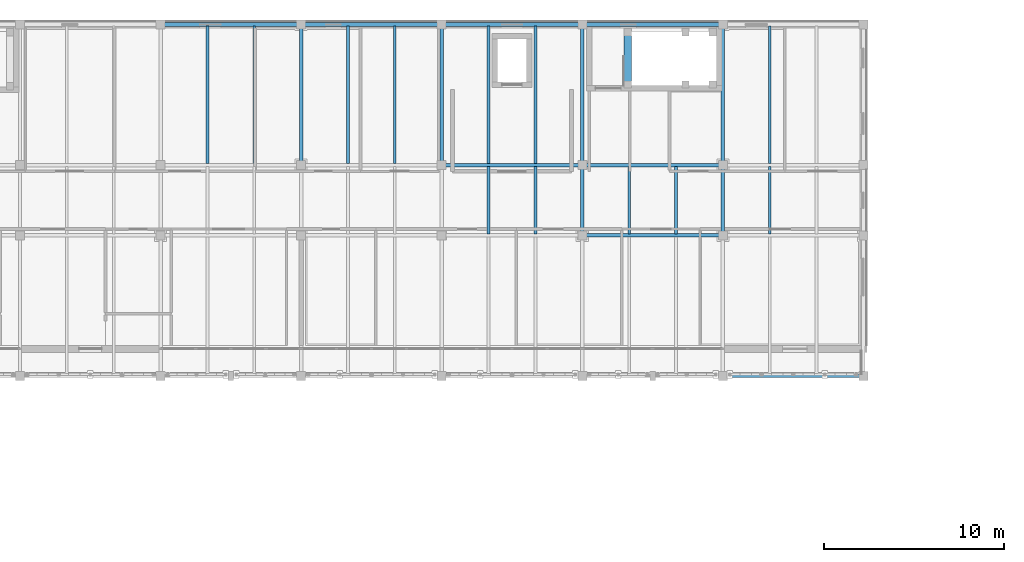
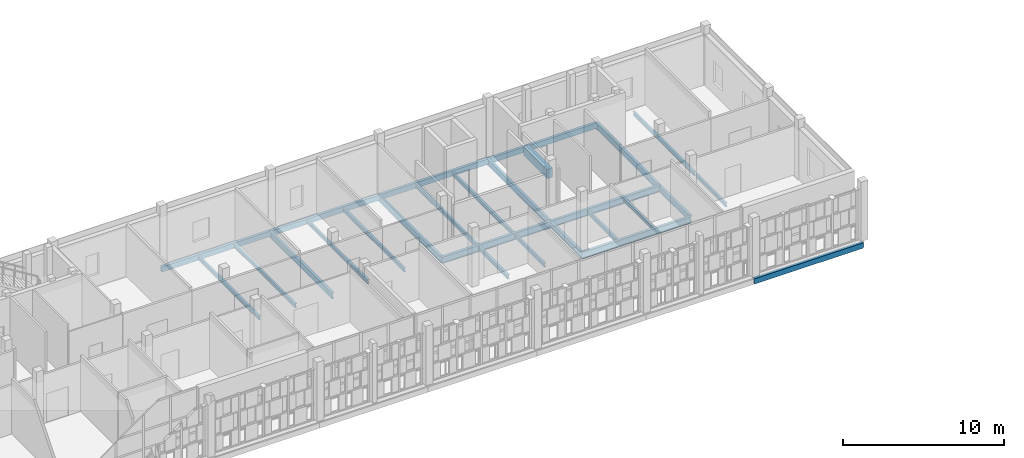
# One storey, part 42 of 89: 27 beams.
"""IFC4 building model written with IfcOpenShell, lengths in metres."""

from ifc_helpers import new_model, si_unit, direction, frame, origin, origin_2d, place, context, subcontext, project, spatial, rectangle, hollow_rectangle, i_section, extrude, material, material_profile, profile_set, type_object, element, save


model = new_model("IFC4")

# Units and contexts
model_context = context("Model", 3, precision=1e-05, world=origin(), true_north=direction((0.0, 1.0)))
body_context = subcontext(model_context, "Body", "Model", "MODEL_VIEW")
ifc_project = project(units=[si_unit("LENGTHUNIT", "METRE"), si_unit("AREAUNIT", "SQUARE_METRE"), si_unit("VOLUMEUNIT", "CUBIC_METRE"), si_unit("PLANEANGLEUNIT", "RADIAN"), si_unit("MASSUNIT", "GRAM", prefix="KILO")], contexts=[model_context])

# Site, building, storey
site_placement = place(None, origin())
site = spatial("IfcSite", under=ifc_project, at=site_placement, CompositionType="ELEMENT")
building_placement = place(site_placement, origin())
building = spatial("IfcBuilding", under=site, at=building_placement, Name="Celorna Specialist Clinic", CompositionType="ELEMENT")
storey_placement = place(building_placement, frame((0.0, 0.0, 14.10009765625)))
storey = spatial("IfcBuildingStorey", under=building, at=storey_placement, Name="L03", CompositionType="ELEMENT", Elevation=14.10009765625)

# Beams
ifc_material_1 = material(Name="Steel S355", Category="steel")
ifc_material_profile_1 = material_profile(ifc_material_1, i_section(OverallWidth=0.199951171875, OverallDepth=0.5, WebThickness=0.01025390625, FlangeThickness=0.01611328125, at=origin_2d()), Name="IPE 500")
ifc_profile_set_1 = profile_set([ifc_material_profile_1], Name="Steel S355")
beam_type_1 = type_object("IfcBeamType", Name="BM-08", PredefinedType="BEAM", material=ifc_profile_set_1)
for number, where, z_axis, x_axis, name in (
    (1, (117.0, 104.300048828125, -0.510009765625), (1.0, 0.0, 0.0), (0.0, 1.0, 0.0), "Primary girder BM-08 #1221"),
    (2, (109.199951171875, 108.199951171875, -0.510009765625), (1.0, 0.0, 0.0), (0.0, 1.0, 0.0), "Primary girder BM-08 #1231"),
    (3, (117.0, 108.199951171875, -0.510009765625), (1.0, 0.0, 0.0), (0.0, 1.0, 0.0), "Primary girder BM-08 #1232"),
):
    element("IfcBeam", number, at=place(storey_placement, frame(where, z_axis=z_axis, x_axis=x_axis)), inside=storey, type_object=beam_type_1, Name=name, PredefinedType="BEAM", context=body_context, shape_type="SweptSolid", body=[
        extrude(i_section(OverallWidth=0.199951171875, OverallDepth=0.5, WebThickness=0.01025390625, FlangeThickness=0.01611328125, at=origin_2d()), origin(), (0.0, 0.0, 1.0), 7.800048828125),
    ])
ifc_material_profile_2 = material_profile(ifc_material_1, i_section(OverallWidth=0.18994140625, OverallDepth=0.449951171875, WebThickness=0.009521484375, FlangeThickness=0.0146484375, at=origin_2d()), Name="IPE 450")
ifc_profile_set_2 = profile_set([ifc_material_profile_2], Name="Steel S355")
beam_type_2 = type_object("IfcBeamType", Name="BM-09", PredefinedType="BEAM", material=ifc_profile_set_2)
for number, where, z_axis, x_axis, name in (
    (4, (101.39990234375, 108.199951171875, -0.485107421875), (0.0, 1.0, 0.0), (-1.0, 0.0, 0.0), "Transverse girder BM-09 #1268"),
    (5, (109.199951171875, 108.199951171875, -0.485107421875), (0.0, 1.0, 0.0), (-1.0, 0.0, 0.0), "Transverse girder BM-09 #1271"),
):
    element("IfcBeam", number, at=place(storey_placement, frame(where, z_axis=z_axis, x_axis=x_axis)), inside=storey, type_object=beam_type_2, Name=name, PredefinedType="BEAM", context=body_context, shape_type="SweptSolid", body=[
        extrude(i_section(OverallWidth=0.18994140625, OverallDepth=0.449951171875, WebThickness=0.009521484375, FlangeThickness=0.0146484375, at=origin_2d()), origin(), (0.0, 0.0, 1.0), 7.800048828125),
    ])
beam_1_placement = place(storey_placement, frame((117.0, 104.300048828125, -0.485107421875), z_axis=(0.0, 1.0, 0.0), x_axis=(-1.0, 0.0, 0.0)))
element("IfcBeam", 6, at=beam_1_placement, inside=storey, type_object=beam_type_2, Name="Transverse girder BM-09 #1273", PredefinedType="BEAM", context=body_context, shape_type="SweptSolid", body=[
    extrude(i_section(OverallWidth=0.18994140625, OverallDepth=0.449951171875, WebThickness=0.009521484375, FlangeThickness=0.0146484375, at=origin_2d()), origin(), (0.0, 0.0, 1.0), 3.89990234375),
])
beam_2_placement = place(storey_placement, frame((117.0, 108.199951171875, -0.485107421875), z_axis=(0.0, 1.0, 0.0), x_axis=(-1.0, 0.0, 0.0)))
element("IfcBeam", 7, at=beam_2_placement, inside=storey, type_object=beam_type_2, Name="Transverse girder BM-09 #1274", PredefinedType="BEAM", context=body_context, shape_type="SweptSolid", body=[
    extrude(i_section(OverallWidth=0.18994140625, OverallDepth=0.449951171875, WebThickness=0.009521484375, FlangeThickness=0.0146484375, at=origin_2d()), origin(), (0.0, 0.0, 1.0), 7.800048828125),
])
beam_3_placement = place(storey_placement, frame((124.800048828125, 104.300048828125, -0.485107421875), z_axis=(0.0, 1.0, 0.0), x_axis=(-1.0, 0.0, 0.0)))
element("IfcBeam", 8, at=beam_3_placement, inside=storey, type_object=beam_type_2, Name="Transverse girder BM-09 #1276", PredefinedType="BEAM", context=body_context, shape_type="SweptSolid", body=[
    extrude(i_section(OverallWidth=0.18994140625, OverallDepth=0.449951171875, WebThickness=0.009521484375, FlangeThickness=0.0146484375, at=origin_2d()), origin(), (0.0, 0.0, 1.0), 3.89990234375),
])
beam_4_placement = place(storey_placement, frame((124.800048828125, 108.199951171875, -0.485107421875), z_axis=(0.0, 1.0, 0.0), x_axis=(-1.0, 0.0, 0.0)))
element("IfcBeam", 9, at=beam_4_placement, inside=storey, type_object=beam_type_2, Name="Transverse girder BM-09 #1277", PredefinedType="BEAM", context=body_context, shape_type="SweptSolid", body=[
    extrude(i_section(OverallWidth=0.18994140625, OverallDepth=0.449951171875, WebThickness=0.009521484375, FlangeThickness=0.0146484375, at=origin_2d()), origin(), (0.0, 0.0, 1.0), 7.800048828125),
])
ifc_material_profile_3 = material_profile(ifc_material_1, i_section(OverallWidth=0.14990234375, OverallDepth=0.300048828125, WebThickness=0.007080078125, FlangeThickness=0.0107421875, at=origin_2d()), Name="IPE 300")
ifc_profile_set_3 = profile_set([ifc_material_profile_3], Name="Steel S355")
beam_type_3 = type_object("IfcBeamType", Name="BM-13", PredefinedType="JOIST", material=ifc_profile_set_3)
for number, where, z_axis, x_axis, name in (
    (10, (96.199951171875, 108.2880859375, -0.41015625), (0.0, 1.0, 0.0), (-1.0, 0.0, 0.0), "Secondary floor joist BM-13 #1315"),
    (11, (98.800048828125, 108.2880859375, -0.41015625), (0.0, 1.0, 0.0), (-1.0, 0.0, 0.0), "Secondary floor joist BM-13 #1316"),
    (12, (104.0, 108.2880859375, -0.41015625), (0.0, 1.0, 0.0), (-1.0, 0.0, 0.0), "Secondary floor joist BM-13 #1321"),
    (13, (106.60009765625, 108.2880859375, -0.41015625), (0.0, 1.0, 0.0), (-1.0, 0.0, 0.0), "Secondary floor joist BM-13 #1322"),
):
    element("IfcBeam", number, at=place(storey_placement, frame(where, z_axis=z_axis, x_axis=x_axis)), inside=storey, type_object=beam_type_3, Name=name, PredefinedType="JOIST", context=body_context, shape_type="SweptSolid", body=[
        extrude(i_section(OverallWidth=0.14990234375, OverallDepth=0.300048828125, WebThickness=0.007080078125, FlangeThickness=0.0107421875, at=origin_2d()), origin(), (0.0, 0.0, 1.0), 7.6240234375),
    ])
for number, where, z_axis, x_axis, name in (
    (14, (111.800048828125, 104.387939453125, -0.41015625), (0.0, 1.0, 0.0), (-1.0, 0.0, 0.0), "Secondary floor joist BM-13 #1325"),
    (15, (114.39990234375, 104.387939453125, -0.41015625), (0.0, 1.0, 0.0), (-1.0, 0.0, 0.0), "Secondary floor joist BM-13 #1326"),
):
    element("IfcBeam", number, at=place(storey_placement, frame(where, z_axis=z_axis, x_axis=x_axis)), inside=storey, type_object=beam_type_3, Name=name, PredefinedType="JOIST", context=body_context, shape_type="SweptSolid", body=[
        extrude(i_section(OverallWidth=0.14990234375, OverallDepth=0.300048828125, WebThickness=0.007080078125, FlangeThickness=0.0107421875, at=origin_2d()), origin(), (0.0, 0.0, 1.0), 3.72412109375),
    ])
for number, where, z_axis, x_axis, name in (
    (16, (111.800048828125, 108.2880859375, -0.41015625), (0.0, 1.0, 0.0), (-1.0, 0.0, 0.0), "Secondary floor joist BM-13 #1327"),
    (17, (114.39990234375, 108.2880859375, -0.41015625), (0.0, 1.0, 0.0), (-1.0, 0.0, 0.0), "Secondary floor joist BM-13 #1328"),
):
    element("IfcBeam", number, at=place(storey_placement, frame(where, z_axis=z_axis, x_axis=x_axis)), inside=storey, type_object=beam_type_3, Name=name, PredefinedType="JOIST", context=body_context, shape_type="SweptSolid", body=[
        extrude(i_section(OverallWidth=0.14990234375, OverallDepth=0.300048828125, WebThickness=0.007080078125, FlangeThickness=0.0107421875, at=origin_2d()), origin(), (0.0, 0.0, 1.0), 7.6240234375),
    ])
for number, where, z_axis, x_axis, name in (
    (18, (119.60009765625, 104.387939453125, -0.41015625), (0.0, 1.0, 0.0), (-1.0, 0.0, 0.0), "Secondary floor joist BM-13 #1331"),
    (19, (122.199951171875, 104.387939453125, -0.41015625), (0.0, 1.0, 0.0), (-1.0, 0.0, 0.0), "Secondary floor joist BM-13 #1332"),
    (20, (127.39990234375, 104.387939453125, -0.41015625), (0.0, 1.0, 0.0), (-1.0, 0.0, 0.0), "Secondary floor joist BM-13 #1335"),
):
    element("IfcBeam", number, at=place(storey_placement, frame(where, z_axis=z_axis, x_axis=x_axis)), inside=storey, type_object=beam_type_3, Name=name, PredefinedType="JOIST", context=body_context, shape_type="SweptSolid", body=[
        extrude(i_section(OverallWidth=0.14990234375, OverallDepth=0.300048828125, WebThickness=0.007080078125, FlangeThickness=0.0107421875, at=origin_2d()), origin(), (0.0, 0.0, 1.0), 3.72412109375),
    ])
beam_5_placement = place(storey_placement, frame((127.39990234375, 108.2880859375, -0.41015625), z_axis=(0.0, 1.0, 0.0), x_axis=(-1.0, 0.0, 0.0)))
element("IfcBeam", 21, at=beam_5_placement, inside=storey, type_object=beam_type_3, Name="Secondary floor joist BM-13 #1337", PredefinedType="JOIST", context=body_context, shape_type="SweptSolid", body=[
    extrude(i_section(OverallWidth=0.14990234375, OverallDepth=0.300048828125, WebThickness=0.007080078125, FlangeThickness=0.0107421875, at=origin_2d()), origin(), (0.0, 0.0, 1.0), 7.6240234375),
])
ifc_material_profile_4 = material_profile(ifc_material_1, hollow_rectangle(XDim=0.199951171875, YDim=0.39990234375, WallThickness=0.011962890625, at=origin_2d()), Name="RHS 200x400x12")
ifc_profile_set_4 = profile_set([ifc_material_profile_4], Name="Steel S355")
beam_type_4 = type_object("IfcBeamType", Name="BM-15", PredefinedType="SPANDREL", material=ifc_profile_set_4)
beam_6_placement = place(storey_placement, frame((124.800048828125, 96.5, -0.460205078125), z_axis=(1.0, 0.0, 0.0), x_axis=(0.0, 1.0, 0.0)))
element("IfcBeam", 22, at=beam_6_placement, inside=storey, type_object=beam_type_4, Name="Spandrel beam BM-15 #1211", PredefinedType="SPANDREL", context=body_context, shape_type="SweptSolid", body=[
    extrude(hollow_rectangle(XDim=0.199951171875, YDim=0.39990234375, WallThickness=0.011962890625, at=origin_2d()), origin(), (0.0, 0.0, 1.0), 7.800048828125),
])
beam_7_placement = place(storey_placement, frame((93.60009765625, 116.0, -0.460205078125), z_axis=(1.0, 0.0, 0.0), x_axis=(0.0, 1.0, 0.0)))
element("IfcBeam", 23, at=beam_7_placement, inside=storey, type_object=beam_type_4, Name="Spandrel beam BM-15 #1240", PredefinedType="SPANDREL", context=body_context, shape_type="SweptSolid", body=[
    extrude(hollow_rectangle(XDim=0.199951171875, YDim=0.39990234375, WallThickness=0.011962890625, at=origin_2d()), origin(), (0.0, 0.0, 1.0), 7.7998046875),
])
for number, where, z_axis, x_axis, name in (
    (24, (101.39990234375, 116.0, -0.460205078125), (1.0, 0.0, 0.0), (0.0, 1.0, 0.0), "Spandrel beam BM-15 #1241"),
    (25, (109.199951171875, 116.0, -0.460205078125), (1.0, 0.0, 0.0), (0.0, 1.0, 0.0), "Spandrel beam BM-15 #1242"),
    (26, (117.0, 116.0, -0.460205078125), (1.0, 0.0, 0.0), (0.0, 1.0, 0.0), "Spandrel beam BM-15 #1243"),
):
    element("IfcBeam", number, at=place(storey_placement, frame(where, z_axis=z_axis, x_axis=x_axis)), inside=storey, type_object=beam_type_4, Name=name, PredefinedType="SPANDREL", context=body_context, shape_type="SweptSolid", body=[
        extrude(hollow_rectangle(XDim=0.199951171875, YDim=0.39990234375, WallThickness=0.011962890625, at=origin_2d()), origin(), (0.0, 0.0, 1.0), 7.800048828125),
    ])
ifc_material_2 = material(Name="Concrete C35/45", Category="concrete")
ifc_material_profile_5 = material_profile(ifc_material_2, rectangle(XDim=0.39990234375, YDim=0.699951171875, at=origin_2d()), Name="RC 400x700")
ifc_profile_set_5 = profile_set([ifc_material_profile_5], Name="Concrete C35/45")
beam_type_5 = type_object("IfcBeamType", Name="BM-19", PredefinedType="BEAM", material=ifc_profile_set_5)
beam_8_placement = place(storey_placement, frame((119.52001953125, 112.669921875, -0.275146484375), z_axis=(0.0, 1.0, 0.0), x_axis=(-1.0, 0.0, 0.0)))
element("IfcBeam", 27, at=beam_8_placement, inside=storey, type_object=beam_type_5, Name="Stair ST-03 floor landing trimmer beam L03", PredefinedType="BEAM", context=body_context, shape_type="SweptSolid", body=[
    extrude(rectangle(XDim=0.39990234375, YDim=0.699951171875, at=origin_2d()), origin(), (0.0, 0.0, 1.0), 2.900146484375),
])

save(model, "model.ifc")
